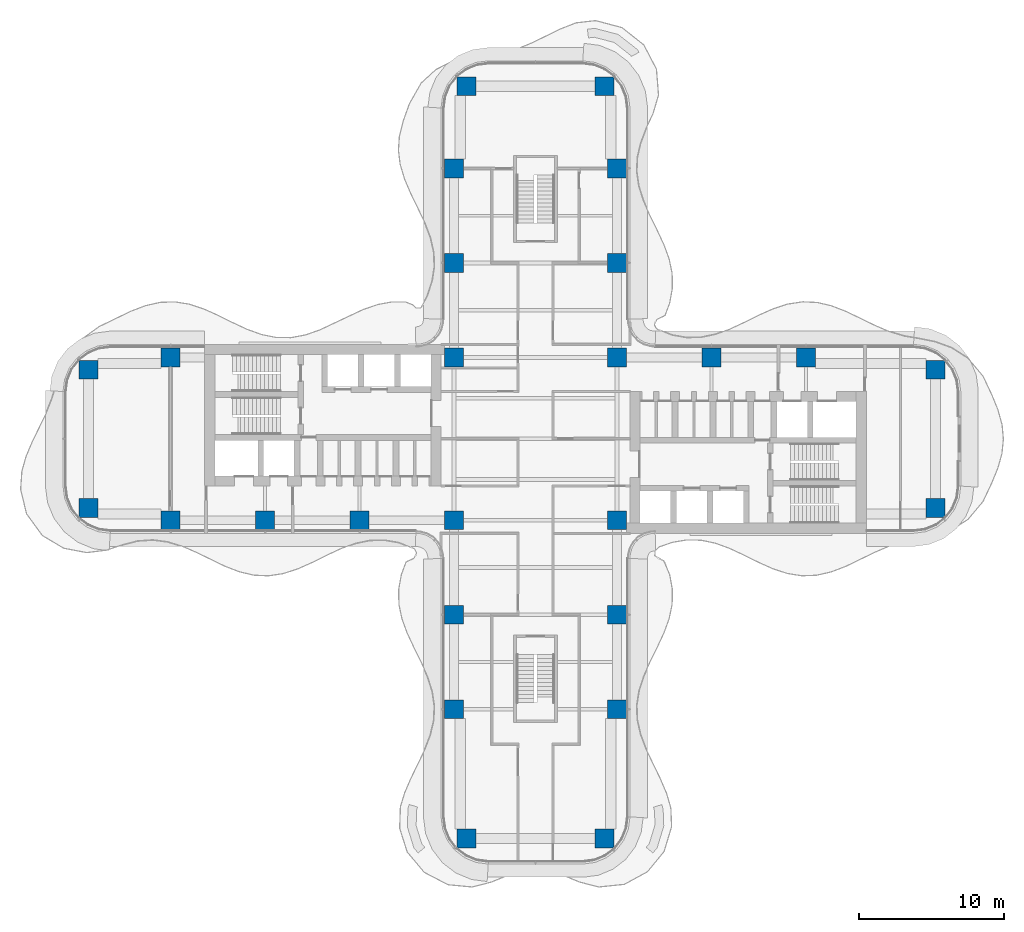
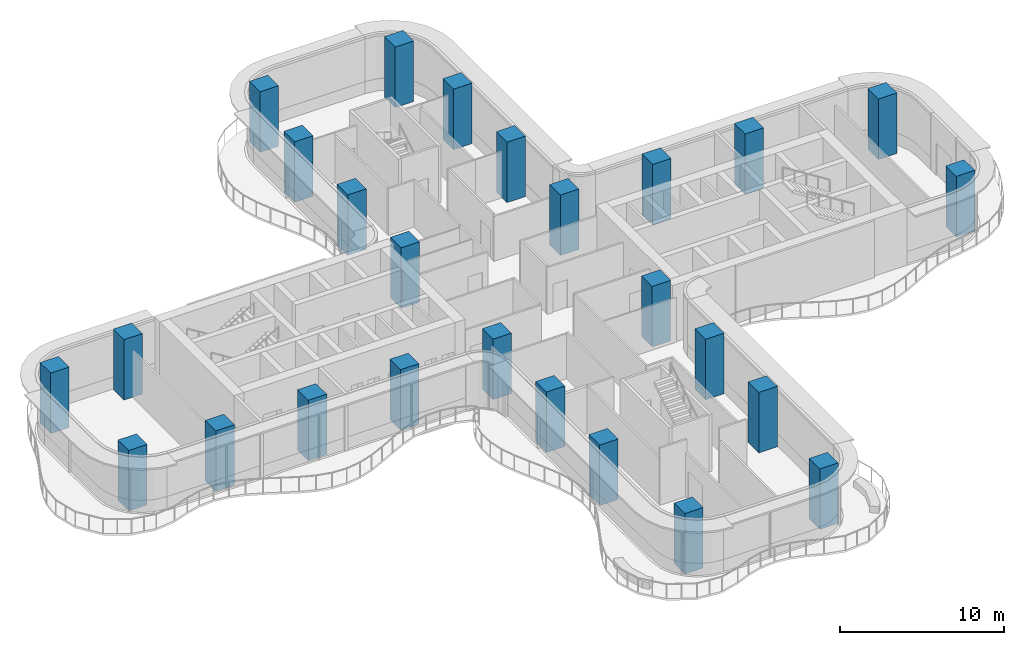
# One storey, part 1 of 21: 26 columns.
"""IFC4 building model written with IfcOpenShell, lengths in metres."""

from ifc_helpers import new_model, si_unit, direction, frame, origin, origin_2d, place, context, subcontext, project, spatial, rectangle, extrude, source, transform, mapped, material, material_profile, profile_set, type_object, element, save


model = new_model("IFC4")

# Units and contexts
model_context = context("Model", 3, precision=1e-05, world=origin(), true_north=direction((0.0, 1.0)))
body_context = subcontext(model_context, "Body", "Model", "MODEL_VIEW")
ifc_project = project(units=[si_unit("LENGTHUNIT", "METRE"), si_unit("AREAUNIT", "SQUARE_METRE"), si_unit("VOLUMEUNIT", "CUBIC_METRE"), si_unit("PLANEANGLEUNIT", "RADIAN"), si_unit("MASSUNIT", "GRAM", prefix="KILO")], contexts=[model_context])

# Site, building, storey
site_placement = place(None, origin())
site = spatial("IfcSite", under=ifc_project, at=site_placement, CompositionType="ELEMENT")
building_placement = place(site_placement, origin())
building = spatial("IfcBuilding", under=site, at=building_placement, Name="Trellis Farm Tower", CompositionType="ELEMENT")
storey_placement = place(building_placement, frame((0.0, 0.0, 115.5)))
storey = spatial("IfcBuildingStorey", under=building, at=storey_placement, Name="L24", CompositionType="ELEMENT", Elevation=115.5)

# Columns
ifc_material = material(Name="Concrete C80/95", Category="concrete")
ifc_material_profile = material_profile(ifc_material, rectangle(XDim=1.300048828125, YDim=1.300048828125, at=origin_2d()), Name="RC column 1300x1300 C80/95")
ifc_profile_set = profile_set([ifc_material_profile], Name="Concrete C80/95")
column_type = type_object("IfcColumnType", Name="RC column 1300x1300 C80/95", PredefinedType="COLUMN", material=ifc_profile_set)
shared_shape = source(origin(), body_context, "Body", "SweptSolid", [
    extrude(rectangle(XDim=1.300048828125, YDim=1.300048828125, at=origin_2d()), origin(), (0.0, 0.0, 1.0), 4.5),
])
for number, where, z_axis, x_axis, name in (
    (1, (12.10009765625, 5.60009765625, 0.0), (0.0, 0.0, 1.0), (1.0, 0.0, 0.0), "Column"),
    (2, (18.60009765625, 5.60009765625, 0.0), (0.0, 0.0, 1.0), (1.0, 0.0, 0.0), "Column"),
    (3, (27.5, 4.75, 0.0), (0.0, 0.0, 1.0), (1.0, 0.0, 0.0), "Column"),
    (4, (27.5, -4.75, 0.0), (0.0, 0.0, 1.0), (1.0, 0.0, 0.0), "Column"),
    (5, (-5.60009765625, 12.10009765625, 0.0), (0.0, 0.0, 1.0), (1.0, 0.0, 0.0), "Column"),
    (6, (-5.60009765625, 18.60009765625, 0.0), (0.0, 0.0, 1.0), (1.0, 0.0, 0.0), "Column"),
    (7, (-4.75, 24.25, 0.0), (0.0, 0.0, 1.0), (1.0, 0.0, 0.0), "Column"),
    (8, (5.60009765625, 12.10009765625, 0.0), (0.0, 0.0, 1.0), (1.0, 0.0, 0.0), "Column"),
    (9, (5.60009765625, 18.60009765625, 0.0), (0.0, 0.0, 1.0), (1.0, 0.0, 0.0), "Column"),
    (10, (4.75, 24.25, 0.0), (0.0, 0.0, 1.0), (1.0, 0.0, 0.0), "Column"),
    (11, (5.60009765625, 5.60009765625, 0.0), (0.0, 0.0, 1.0), (1.0, 0.0, 0.0), "Column"),
    (12, (-5.60009765625, 5.60009765625, 0.0), (0.0, 0.0, 1.0), (1.0, 0.0, 0.0), "Column"),
    (13, (5.60009765625, -5.60009765625, 0.0), (0.0, 0.0, 1.0), (1.0, 0.0, 0.0), "Column"),
    (14, (-5.60009765625, -5.60009765625, 0.0), (0.0, 0.0, 1.0), (1.0, 0.0, 0.0), "Column"),
    (15, (5.60009765625, -12.10009765625, 0.0), (0.0, 0.0, 1.0), (1.0, 0.0, 0.0), "Column"),
    (16, (5.60009765625, -18.60009765625, 0.0), (0.0, 0.0, 1.0), (1.0, 0.0, 0.0), "Column"),
    (17, (4.75, -27.5, 0.0), (0.0, 0.0, 1.0), (1.0, 0.0, 0.0), "Column"),
    (18, (-5.60009765625, -12.10009765625, 0.0), (0.0, 0.0, 1.0), (1.0, 0.0, 0.0), "Column"),
    (19, (-5.60009765625, -18.60009765625, 0.0), (0.0, 0.0, 1.0), (1.0, 0.0, 0.0), "Column"),
    (20, (-4.75, -27.5, 0.0), (0.0, 0.0, 1.0), (1.0, 0.0, 0.0), "Column"),
    (21, (-12.10009765625, -5.60009765625, 0.0), (0.0, 0.0, 1.0), (1.0, 0.0, 0.0), "Column"),
    (22, (-18.60009765625, -5.60009765625, 0.0), (0.0, 0.0, 1.0), (1.0, 0.0, 0.0), "Column"),
    (23, (-25.10009765625, -5.60009765625, 0.0), (0.0, 0.0, 1.0), (1.0, 0.0, 0.0), "Column"),
    (24, (-30.75, -4.75, 0.0), (0.0, 0.0, 1.0), (1.0, 0.0, 0.0), "Column"),
    (25, (-25.10009765625, 5.60009765625, 0.0), (0.0, 0.0, 1.0), (1.0, 0.0, 0.0), "Column"),
    (26, (-30.75, 4.75, 0.0), (0.0, 0.0, 1.0), (1.0, 0.0, 0.0), "Column"),
):
    element("IfcColumn", number, at=place(storey_placement, frame(where, z_axis=z_axis, x_axis=x_axis)), inside=storey, type_object=column_type, Name=name, PredefinedType="COLUMN", context=body_context, shape_type="MappedRepresentation", body=[
        mapped(shared_shape, transform((0.0, 0.0, 0.0))),
    ])

save(model, "model.ifc")
